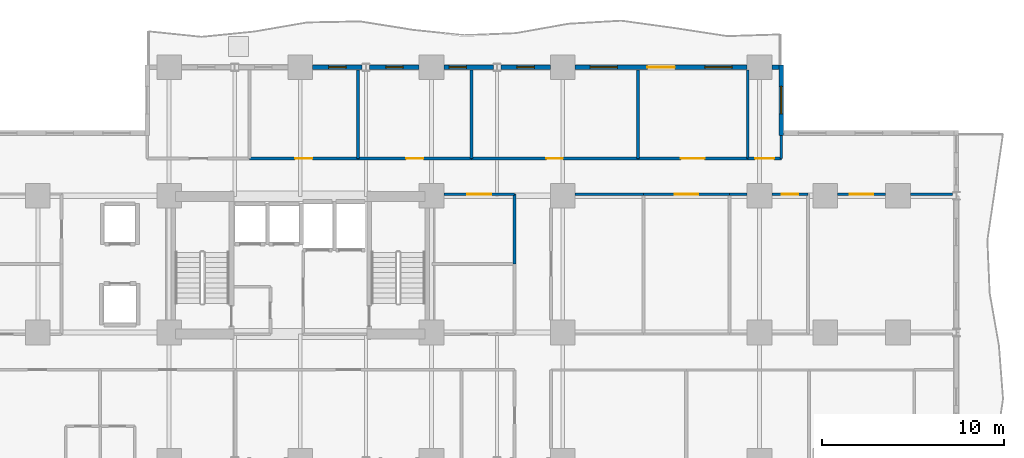
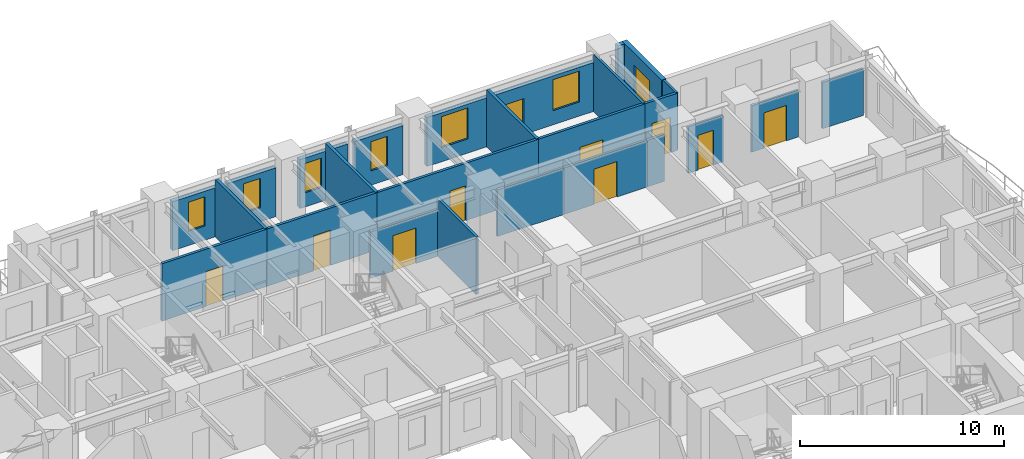
# One storey, part 7 of 11: 25 walls, 10 doors, 7 windows, 17 openings.
"""IFC4 building model written with IfcOpenShell, lengths in metres."""

from ifc_helpers import new_model, si_unit, direction, frame, frame_2d, origin, place, context, subcontext, project, spatial, rectangle, extrude, material, layer, layer_set, type_object, element, fill, save


model = new_model("IFC4")

# Units and contexts
model_context = context("Model", 3, precision=1e-05, world=origin(), true_north=direction((0.0, 1.0)))
body_context = subcontext(model_context, "Body", "Model", "MODEL_VIEW")
ifc_project = project(units=[si_unit("LENGTHUNIT", "METRE"), si_unit("AREAUNIT", "SQUARE_METRE"), si_unit("VOLUMEUNIT", "CUBIC_METRE"), si_unit("PLANEANGLEUNIT", "RADIAN"), si_unit("MASSUNIT", "GRAM", prefix="KILO")], contexts=[model_context])

# Site, building, storey
site_placement = place(None, origin())
site = spatial("IfcSite", under=ifc_project, at=site_placement, CompositionType="ELEMENT")
building_placement = place(site_placement, origin())
building = spatial("IfcBuilding", under=site, at=building_placement, Name="Kaliganga Portal Commons", CompositionType="ELEMENT")
storey_placement = place(building_placement, frame((0.0, 0.0, 51.199951171875)))
storey = spatial("IfcBuildingStorey", under=building, at=storey_placement, Name="L12", CompositionType="ELEMENT", Elevation=51.199951171875)

# Wall, opening, window
ifc_material_1 = material(Name="Insulated Aluminium-Clad Spandrel Assembly", Category="aluminium")
ifc_layer_1 = layer(ifc_material_1, 0.260009765625)
ifc_layer_set_1 = layer_set([ifc_layer_1], Name="Insulated Aluminium-Clad Spandrel Assembly")
wall_type_1 = type_object("IfcWallType", Name="WL-EXT-SPAND-260", PredefinedType="STANDARD", material=ifc_layer_set_1)
wall_1_placement = place(storey_placement, frame((48.0, 43.330078125, 0.0), z_axis=(0.0, 0.0, 1.0), x_axis=(0.0, -1.0, 0.0)))
wall_1 = element("IfcWall", 1, at=wall_1_placement, inside=storey, type_object=wall_type_1, Name="Exterior Envelope Wall L12 P1-E05-S1", PredefinedType="STANDARD", context=body_context, shape_type="SweptSolid", body=[
    extrude(rectangle(XDim=3.860107421875, YDim=0.260009765625, at=frame_2d((1.93017578125, 0.0))), origin(), (0.0, 0.0, 1.0), 3.429931640625),
])
opening_1_placement = place(wall_1_placement, frame((1.179931640625, 0.0, 0.85009765625)))
opening_1 = element("IfcOpeningElement", 2, at=opening_1_placement, cuts=wall_1, Name="Opening W-02", PredefinedType="OPENING", context=body_context, shape_type="SweptSolid", body=[
    extrude(rectangle(XDim=1.5, YDim=1.85009765625, at=frame_2d((0.75, 0.925048828125))), frame((0.0, 0.14013671875, 0.0), z_axis=(0.0, -1.0, 0.0), x_axis=(1.0, 0.0, 0.0)), (0.0, 0.0, 1.0), 0.280029296875),
])
ifc_material_2 = material(Name="Thermally Broken Aluminium and Low-E Double Glazing", Category="aluminium")
window_type_1 = type_object("IfcWindowType", Name="WIN-STD-1500", PartitioningType="DOUBLE_PANEL_VERTICAL", PredefinedType="WINDOW", material=ifc_material_2)
window_1_placement = place(opening_1_placement, origin())
window_1 = element("IfcWindow", 3, at=window_1_placement, inside=storey, type_object=window_type_1, Name="Facade Window L12-P1E05S1-00", OverallHeight=1.85009765625, OverallWidth=1.5, PartitioningType="SINGLE_PANEL", PredefinedType="WINDOW", context=body_context, shape_type="SweptSolid", body=[
    extrude(rectangle(XDim=1.5, YDim=1.85009765625, at=frame_2d((0.75, 0.925048828125))), frame((0.0, 0.030029296875, 0.0), z_axis=(0.0, -1.0, 0.0), x_axis=(1.0, 0.0, 0.0)), (0.0, 0.0, 1.0), 0.06005859375),
])
fill(opening_1, window_1)

# Wall
wall_2_placement = place(storey_placement, frame((47.47607421875, 43.199951171875, 0.0), z_axis=(0.0, 0.0, 1.0), x_axis=(1.0, 0.0, 0.0)))
element("IfcWall", 4, at=wall_2_placement, inside=storey, type_object=wall_type_1, Name="Exterior Envelope Wall L12 P1-E06-S1", PredefinedType="STANDARD", context=body_context, shape_type="SweptSolid", body=[
    extrude(rectangle(XDim=0.388916015625, YDim=0.260009765625, at=frame_2d((0.1943359375, 0.0))), origin(), (0.0, 0.0, 1.0), 3.429931640625),
])

# Wall, openings, door, windows
wall_3_placement = place(storey_placement, frame((36.676025390625, 43.199951171875, 0.0), z_axis=(0.0, 0.0, 1.0), x_axis=(1.0, 0.0, 0.0)))
wall_3 = element("IfcWall", 5, at=wall_3_placement, inside=storey, type_object=wall_type_1, Name="Exterior Envelope Wall L12 P1-E06-S2", PredefinedType="STANDARD", context=body_context, shape_type="SweptSolid", body=[
    extrude(rectangle(XDim=9.447998046875, YDim=0.260009765625, at=frame_2d((4.72412109375, 0.0))), origin(), (0.0, 0.0, 1.0), 2.929931640625),
])
opening_2_placement = place(wall_3_placement, frame((3.97412109375, 0.0, 0.0)))
opening_2 = element("IfcOpeningElement", 6, at=opening_2_placement, cuts=wall_3, Name="Opening BD-01", PredefinedType="OPENING", context=body_context, shape_type="SweptSolid", body=[
    extrude(rectangle(XDim=1.5, YDim=2.14990234375, at=frame_2d((0.75, 1.074951171875))), frame((0.0, 0.14013671875, 0.0), z_axis=(0.0, -1.0, 0.0), x_axis=(1.0, 0.0, 0.0)), (0.0, 0.0, 1.0), 0.280029296875),
])
opening_3_placement = place(wall_3_placement, frame((0.82470703125, 0.0, 0.85009765625)))
opening_3 = element("IfcOpeningElement", 7, at=opening_3_placement, cuts=wall_3, Name="Opening W-02", PredefinedType="OPENING", context=body_context, shape_type="SweptSolid", body=[
    extrude(rectangle(XDim=1.5, YDim=1.85009765625, at=frame_2d((0.75, 0.925048828125))), frame((0.0, 0.14013671875, 0.0), z_axis=(0.0, -1.0, 0.0), x_axis=(1.0, 0.0, 0.0)), (0.0, 0.0, 1.0), 0.280029296875),
])
opening_4_placement = place(wall_3_placement, frame((7.123291015625, 0.0, 0.85009765625)))
opening_4 = element("IfcOpeningElement", 8, at=opening_4_placement, cuts=wall_3, Name="Opening W-02", PredefinedType="OPENING", context=body_context, shape_type="SweptSolid", body=[
    extrude(rectangle(XDim=1.5, YDim=1.85009765625, at=frame_2d((0.75, 0.925048828125))), frame((0.0, 0.14013671875, 0.0), z_axis=(0.0, -1.0, 0.0), x_axis=(1.0, 0.0, 0.0)), (0.0, 0.0, 1.0), 0.280029296875),
])
ifc_material_3 = material(Name="Anodized Aluminium and Laminated Safety Glass", Category="aluminium")
door_type_1 = type_object("IfcDoorType", Name="DR-BALC-1500", OperationType="SLIDING_TO_LEFT", PredefinedType="DOOR", material=ifc_material_3)
door_1_placement = place(opening_2_placement, origin())
door_1 = element("IfcDoor", 9, at=door_1_placement, inside=storey, type_object=door_type_1, Name="Balcony Sliding Door L12 balc_north", OperationType="SLIDING_TO_LEFT", OverallHeight=2.14990234375, OverallWidth=1.5, PredefinedType="DOOR", context=body_context, shape_type="SweptSolid", body=[
    extrude(rectangle(XDim=1.5, YDim=2.14990234375, at=frame_2d((0.75, 1.074951171875))), frame((0.0, 0.02490234375, 0.0), z_axis=(0.0, -1.0, 0.0), x_axis=(1.0, 0.0, 0.0)), (0.0, 0.0, 1.0), 0.050048828125),
])
fill(opening_2, door_1)
window_2_placement = place(opening_3_placement, origin())
window_2 = element("IfcWindow", 10, at=window_2_placement, inside=storey, type_object=window_type_1, Name="Facade Window L12-P1E06S2-00", OverallHeight=1.85009765625, OverallWidth=1.5, PartitioningType="SINGLE_PANEL", PredefinedType="WINDOW", context=body_context, shape_type="SweptSolid", body=[
    extrude(rectangle(XDim=1.5, YDim=1.85009765625, at=frame_2d((0.75, 0.925048828125))), frame((0.0, 0.030029296875, 0.0), z_axis=(0.0, -1.0, 0.0), x_axis=(1.0, 0.0, 0.0)), (0.0, 0.0, 1.0), 0.06005859375),
])
fill(opening_3, window_2)
window_3_placement = place(opening_4_placement, origin())
window_3 = element("IfcWindow", 11, at=window_3_placement, inside=storey, type_object=window_type_1, Name="Facade Window L12-P1E06S2-02", OverallHeight=1.85009765625, OverallWidth=1.5, PartitioningType="SINGLE_PANEL", PredefinedType="WINDOW", context=body_context, shape_type="SweptSolid", body=[
    extrude(rectangle(XDim=1.5, YDim=1.85009765625, at=frame_2d((0.75, 0.925048828125))), frame((0.0, 0.030029296875, 0.0), z_axis=(0.0, -1.0, 0.0), x_axis=(1.0, 0.0, 0.0)), (0.0, 0.0, 1.0), 0.06005859375),
])
fill(opening_4, window_3)

# Wall, opening, window
wall_4_placement = place(storey_placement, frame((32.60888671875, 43.199951171875, 0.0), z_axis=(0.0, 0.0, 1.0), x_axis=(1.0, 0.0, 0.0)))
wall_4 = element("IfcWall", 12, at=wall_4_placement, inside=storey, type_object=wall_type_1, Name="Exterior Envelope Wall L12 P1-E06-S3", PredefinedType="STANDARD", context=body_context, shape_type="SweptSolid", body=[
    extrude(rectangle(XDim=2.715087890625, YDim=0.260009765625, at=frame_2d((1.357421875, 0.0))), origin(), (0.0, 0.0, 1.0), 2.929931640625),
])
opening_5_placement = place(wall_4_placement, frame((0.882568359375, 0.0, 0.85009765625)))
opening_5 = element("IfcOpeningElement", 13, at=opening_5_placement, cuts=wall_4, Name="Opening W-04", PredefinedType="OPENING", context=body_context, shape_type="SweptSolid", body=[
    extrude(rectangle(XDim=0.949951171875, YDim=1.75, at=frame_2d((0.47509765625, 0.875))), frame((0.0, 0.14013671875, 0.0), z_axis=(0.0, -1.0, 0.0), x_axis=(1.0, 0.0, 0.0)), (0.0, 0.0, 1.0), 0.280029296875),
])
window_type_2 = type_object("IfcWindowType", Name="WIN-NARROW-950", PartitioningType="SINGLE_PANEL", PredefinedType="WINDOW", material=ifc_material_2)
window_4_placement = place(opening_5_placement, origin())
window_4 = element("IfcWindow", 14, at=window_4_placement, inside=storey, type_object=window_type_2, Name="Facade Window L12-P1E06S3-00", OverallHeight=1.75, OverallWidth=0.949951171875, PartitioningType="SINGLE_PANEL", PredefinedType="WINDOW", context=body_context, shape_type="SweptSolid", body=[
    extrude(rectangle(XDim=0.949951171875, YDim=1.75, at=frame_2d((0.47509765625, 0.875))), frame((0.0, 0.030029296875, 0.0), z_axis=(0.0, -1.0, 0.0), x_axis=(1.0, 0.0, 0.0)), (0.0, 0.0, 1.0), 0.06005859375),
])
fill(opening_5, window_4)

wall_5_placement = place(storey_placement, frame((29.47607421875, 43.199951171875, 0.0), z_axis=(0.0, 0.0, 1.0), x_axis=(1.0, 0.0, 0.0)))
wall_5 = element("IfcWall", 15, at=wall_5_placement, inside=storey, type_object=wall_type_1, Name="Exterior Envelope Wall L12 P1-E06-S4", PredefinedType="STANDARD", context=body_context, shape_type="SweptSolid", body=[
    extrude(rectangle(XDim=2.71484375, YDim=0.260009765625, at=frame_2d((1.357421875, 0.0))), origin(), (0.0, 0.0, 1.0), 2.929931640625),
])
opening_6_placement = place(wall_5_placement, frame((0.28515625, 0.0, 0.85009765625)))
opening_6 = element("IfcOpeningElement", 16, at=opening_6_placement, cuts=wall_5, Name="Opening W-04", PredefinedType="OPENING", context=body_context, shape_type="SweptSolid", body=[
    extrude(rectangle(XDim=0.949951171875, YDim=1.75, at=frame_2d((0.47509765625, 0.875))), frame((0.0, 0.14013671875, 0.0), z_axis=(0.0, -1.0, 0.0), x_axis=(1.0, 0.0, 0.0)), (0.0, 0.0, 1.0), 0.280029296875),
])
window_5_placement = place(opening_6_placement, origin())
window_5 = element("IfcWindow", 17, at=window_5_placement, inside=storey, type_object=window_type_2, Name="Facade Window L12-P1E06S4-N3", OverallHeight=1.75, OverallWidth=0.949951171875, PartitioningType="SINGLE_PANEL", PredefinedType="WINDOW", context=body_context, shape_type="SweptSolid", body=[
    extrude(rectangle(XDim=0.949951171875, YDim=1.75, at=frame_2d((0.47509765625, 0.875))), frame((0.0, 0.030029296875, 0.0), z_axis=(0.0, -1.0, 0.0), x_axis=(1.0, 0.0, 0.0)), (0.0, 0.0, 1.0), 0.06005859375),
])
fill(opening_6, window_5)

wall_6_placement = place(storey_placement, frame((25.408935546875, 43.199951171875, 0.0), z_axis=(0.0, 0.0, 1.0), x_axis=(1.0, 0.0, 0.0)))
wall_6 = element("IfcWall", 18, at=wall_6_placement, inside=storey, type_object=wall_type_1, Name="Exterior Envelope Wall L12 P1-E06-S5", PredefinedType="STANDARD", context=body_context, shape_type="SweptSolid", body=[
    extrude(rectangle(XDim=2.715087890625, YDim=0.260009765625, at=frame_2d((1.357421875, 0.0))), origin(), (0.0, 0.0, 1.0), 2.929931640625),
])
opening_7_placement = place(wall_6_placement, frame((0.882568359375, 0.0, 0.85009765625)))
opening_7 = element("IfcOpeningElement", 19, at=opening_7_placement, cuts=wall_6, Name="Opening W-04", PredefinedType="OPENING", context=body_context, shape_type="SweptSolid", body=[
    extrude(rectangle(XDim=0.949951171875, YDim=1.75, at=frame_2d((0.47509765625, 0.875))), frame((0.0, 0.14013671875, 0.0), z_axis=(0.0, -1.0, 0.0), x_axis=(1.0, 0.0, 0.0)), (0.0, 0.0, 1.0), 0.280029296875),
])
window_6_placement = place(opening_7_placement, origin())
window_6 = element("IfcWindow", 20, at=window_6_placement, inside=storey, type_object=window_type_2, Name="Facade Window L12-P1E06S5-00", OverallHeight=1.75, OverallWidth=0.949951171875, PartitioningType="SINGLE_PANEL", PredefinedType="WINDOW", context=body_context, shape_type="SweptSolid", body=[
    extrude(rectangle(XDim=0.949951171875, YDim=1.75, at=frame_2d((0.47509765625, 0.875))), frame((0.0, 0.030029296875, 0.0), z_axis=(0.0, -1.0, 0.0), x_axis=(1.0, 0.0, 0.0)), (0.0, 0.0, 1.0), 0.06005859375),
])
fill(opening_7, window_6)

wall_7_placement = place(storey_placement, frame((22.27587890625, 43.199951171875, 0.0), z_axis=(0.0, 0.0, 1.0), x_axis=(1.0, 0.0, 0.0)))
wall_7 = element("IfcWall", 21, at=wall_7_placement, inside=storey, type_object=wall_type_1, Name="Exterior Envelope Wall L12 P1-E06-S6", PredefinedType="STANDARD", context=body_context, shape_type="SweptSolid", body=[
    extrude(rectangle(XDim=2.715087890625, YDim=0.260009765625, at=frame_2d((1.357421875, 0.0))), origin(), (0.0, 0.0, 1.0), 2.929931640625),
])
opening_8_placement = place(wall_7_placement, frame((0.882568359375, 0.0, 0.85009765625)))
opening_8 = element("IfcOpeningElement", 22, at=opening_8_placement, cuts=wall_7, Name="Opening W-04", PredefinedType="OPENING", context=body_context, shape_type="SweptSolid", body=[
    extrude(rectangle(XDim=0.949951171875, YDim=1.75, at=frame_2d((0.47509765625, 0.875))), frame((0.0, 0.14013671875, 0.0), z_axis=(0.0, -1.0, 0.0), x_axis=(1.0, 0.0, 0.0)), (0.0, 0.0, 1.0), 0.280029296875),
])
window_7_placement = place(opening_8_placement, origin())
window_7 = element("IfcWindow", 23, at=window_7_placement, inside=storey, type_object=window_type_2, Name="Facade Window L12-P1E06S6-00", OverallHeight=1.75, OverallWidth=0.949951171875, PartitioningType="SINGLE_PANEL", PredefinedType="WINDOW", context=body_context, shape_type="SweptSolid", body=[
    extrude(rectangle(XDim=0.949951171875, YDim=1.75, at=frame_2d((0.47509765625, 0.875))), frame((0.0, 0.030029296875, 0.0), z_axis=(0.0, -1.0, 0.0), x_axis=(1.0, 0.0, 0.0)), (0.0, 0.0, 1.0), 0.06005859375),
])
fill(opening_8, window_7)

# Wall, opening, door
ifc_material_4 = material(Name="Fire-Rated Gypsum Board on Steel Stud", Category="steel")
ifc_layer_2 = layer(ifc_material_4, 0.14990234375)
ifc_layer_set_2 = layer_set([ifc_layer_2], Name="Fire-Rated Gypsum Board on Steel Stud")
wall_type_2 = type_object("IfcWallType", Name="WL-PART-CORR-150", PredefinedType="PARTITIONING", material=ifc_layer_set_2)
wall_8_placement = place(storey_placement, frame((31.0, 38.199951171875, 0.0), z_axis=(0.0, 0.0, 1.0), x_axis=(1.0, 0.0, 0.0)))
wall_8 = element("IfcWall", 24, at=wall_8_placement, inside=storey, type_object=wall_type_2, Name="Interior Partition L12-009", PredefinedType="PARTITIONING", context=body_context, shape_type="SweptSolid", body=[
    extrude(rectangle(XDim=9.1201171875, YDim=0.14990234375, at=frame_2d((4.56005859375, 0.0))), origin(), (0.0, 0.0, 1.0), 3.429931640625),
])
opening_9_placement = place(wall_8_placement, frame((4.110107421875, 0.0, 0.0)))
opening_9 = element("IfcOpeningElement", 25, at=opening_9_placement, cuts=wall_8, Name="Opening RD-01", PredefinedType="OPENING", context=body_context, shape_type="SweptSolid", body=[
    extrude(rectangle(XDim=0.89990234375, YDim=2.080078125, at=frame_2d((0.449951171875, 1.0400390625))), frame((0.0, 0.0849609375, 0.0), z_axis=(0.0, -1.0, 0.0), x_axis=(1.0, 0.0, 0.0)), (0.0, 0.0, 1.0), 0.169921875),
])
ifc_material_5 = material(Name="Engineered Timber Flush Door", Category="wood")
door_type_2 = type_object("IfcDoorType", Name="DR-ROOM-900", OperationType="NOTDEFINED", PredefinedType="DOOR", material=ifc_material_5)
door_2_placement = place(opening_9_placement, origin())
door_2 = element("IfcDoor", 26, at=door_2_placement, inside=storey, type_object=door_type_2, Name="Interior Door L12-AN04", OperationType="SINGLE_SWING_RIGHT", OverallHeight=2.080078125, OverallWidth=0.89990234375, PredefinedType="DOOR", context=body_context, shape_type="SweptSolid", body=[
    extrude(rectangle(XDim=0.89990234375, YDim=2.080078125, at=frame_2d((0.449951171875, 1.0400390625))), frame((0.0, 0.02490234375, 0.0), z_axis=(0.0, -1.0, 0.0), x_axis=(1.0, 0.0, 0.0)), (0.0, 0.0, 1.0), 0.050048828125),
])
fill(opening_9, door_2)

wall_9_placement = place(storey_placement, frame((51.074951171875, 36.239990234375, 0.0), z_axis=(0.0, 0.0, 1.0), x_axis=(1.0, 0.0, 0.0)))
wall_9 = element("IfcWall", 27, at=wall_9_placement, inside=storey, type_object=wall_type_2, Name="Interior Partition L12-010", PredefinedType="PARTITIONING", context=body_context, shape_type="SweptSolid", body=[
    extrude(rectangle(XDim=2.650146484375, YDim=0.14990234375, at=frame_2d((1.3251953125, 0.0))), origin(), (0.0, 0.0, 1.0), 2.780029296875),
])
opening_10_placement = place(wall_9_placement, frame((0.675048828125, 0.0, 0.0)))
opening_10 = element("IfcOpeningElement", 28, at=opening_10_placement, cuts=wall_9, Name="Opening RD-03", PredefinedType="OPENING", context=body_context, shape_type="SweptSolid", body=[
    extrude(rectangle(XDim=1.300048828125, YDim=2.1201171875, at=frame_2d((0.64990234375, 1.06005859375))), frame((0.0, 0.0849609375, 0.0), z_axis=(0.0, -1.0, 0.0), x_axis=(1.0, 0.0, 0.0)), (0.0, 0.0, 1.0), 0.169921875),
])
ifc_material_6 = material(Name="Glazed Timber Seminar Vision Door", Category="wood")
door_type_3 = type_object("IfcDoorType", Name="DR-STUDY-1300", OperationType="DOUBLE_DOOR_SINGLE_SWING", PredefinedType="DOOR", material=ifc_material_6)
door_3_placement = place(opening_10_placement, origin())
door_3 = element("IfcDoor", 29, at=door_3_placement, inside=storey, type_object=door_type_3, Name="Interior Door L12-BK04", OperationType="DOUBLE_DOOR_SINGLE_SWING", OverallHeight=2.1201171875, OverallWidth=1.300048828125, PredefinedType="DOOR", context=body_context, shape_type="SweptSolid", body=[
    extrude(rectangle(XDim=1.300048828125, YDim=2.1201171875, at=frame_2d((0.64990234375, 1.06005859375))), frame((0.0, 0.02490234375, 0.0), z_axis=(0.0, -1.0, 0.0), x_axis=(1.0, 0.0, 0.0)), (0.0, 0.0, 1.0), 0.050048828125),
])
fill(opening_10, door_3)

# Wall
wall_10_placement = place(storey_placement, frame((55.074951171875, 36.239990234375, 0.0), z_axis=(0.0, 0.0, 1.0), x_axis=(1.0, 0.0, 0.0)))
element("IfcWall", 30, at=wall_10_placement, inside=storey, type_object=wall_type_2, Name="Interior Partition L12-011", PredefinedType="PARTITIONING", context=body_context, shape_type="SweptSolid", body=[
    extrude(rectangle(XDim=2.317138671875, YDim=0.14990234375, at=frame_2d((1.15869140625, 0.0))), origin(), (0.0, 0.0, 1.0), 2.780029296875),
])

# Wall, opening, door
wall_11_placement = place(storey_placement, frame((24.760009765625, 38.199951171875, 0.0), z_axis=(0.0, 0.0, 1.0), x_axis=(1.0, 0.0, 0.0)))
wall_11 = element("IfcWall", 31, at=wall_11_placement, inside=storey, type_object=wall_type_2, Name="Interior Partition L12-023", PredefinedType="PARTITIONING", context=body_context, shape_type="SweptSolid", body=[
    extrude(rectangle(XDim=6.239990234375, YDim=0.14990234375, at=frame_2d((3.1201171875, 0.0))), origin(), (0.0, 0.0, 1.0), 3.429931640625),
])
opening_11_placement = place(wall_11_placement, frame((2.64501953125, 0.0, 0.0)))
opening_11 = element("IfcOpeningElement", 32, at=opening_11_placement, cuts=wall_11, Name="Opening UD-01", PredefinedType="OPENING", context=body_context, shape_type="SweptSolid", body=[
    extrude(rectangle(XDim=0.949951171875, YDim=2.10009765625, at=frame_2d((0.47509765625, 1.050048828125))), frame((0.0, 0.0849609375, 0.0), z_axis=(0.0, -1.0, 0.0), x_axis=(1.0, 0.0, 0.0)), (0.0, 0.0, 1.0), 0.169921875),
])
ifc_material_7 = material(Name="Solid-Core Timber Acoustic Fire Door", Category="wood")
door_type_4 = type_object("IfcDoorType", Name="DR-UNIT-950", OperationType="NOTDEFINED", PredefinedType="DOOR", material=ifc_material_7)
door_4_placement = place(opening_11_placement, origin())
door_4 = element("IfcDoor", 33, at=door_4_placement, inside=storey, type_object=door_type_4, Name="Interior Door L12-AN03", OperationType="SINGLE_SWING_LEFT", OverallHeight=2.10009765625, OverallWidth=0.949951171875, PredefinedType="DOOR", context=body_context, shape_type="SweptSolid", body=[
    extrude(rectangle(XDim=0.949951171875, YDim=2.10009765625, at=frame_2d((0.47509765625, 1.050048828125))), frame((0.0, 0.02490234375, 0.0), z_axis=(0.0, -1.0, 0.0), x_axis=(1.0, 0.0, 0.0)), (0.0, 0.0, 1.0), 0.050048828125),
])
fill(opening_11, door_4)

wall_12_placement = place(storey_placement, frame((40.1201171875, 38.199951171875, 0.0), z_axis=(0.0, 0.0, 1.0), x_axis=(1.0, 0.0, 0.0)))
wall_12 = element("IfcWall", 34, at=wall_12_placement, inside=storey, type_object=wall_type_2, Name="Interior Partition L12-024", PredefinedType="PARTITIONING", context=body_context, shape_type="SweptSolid", body=[
    extrude(rectangle(XDim=6.039794921875, YDim=0.14990234375, at=frame_2d((3.02001953125, 0.0))), origin(), (0.0, 0.0, 1.0), 3.429931640625),
])
opening_12_placement = place(wall_12_placement, frame((2.3701171875, 0.0, 0.0)))
opening_12 = element("IfcOpeningElement", 35, at=opening_12_placement, cuts=wall_12, Name="Opening RD-03", PredefinedType="OPENING", context=body_context, shape_type="SweptSolid", body=[
    extrude(rectangle(XDim=1.300048828125, YDim=2.1201171875, at=frame_2d((0.64990234375, 1.06005859375))), frame((0.0, 0.0849609375, 0.0), z_axis=(0.0, -1.0, 0.0), x_axis=(1.0, 0.0, 0.0)), (0.0, 0.0, 1.0), 0.169921875),
])
door_5_placement = place(opening_12_placement, origin())
door_5 = element("IfcDoor", 36, at=door_5_placement, inside=storey, type_object=door_type_3, Name="Interior Door L12-AN05", OperationType="DOUBLE_DOOR_SINGLE_SWING", OverallHeight=2.1201171875, OverallWidth=1.300048828125, PredefinedType="DOOR", context=body_context, shape_type="SweptSolid", body=[
    extrude(rectangle(XDim=1.300048828125, YDim=2.1201171875, at=frame_2d((0.64990234375, 1.06005859375))), frame((0.0, 0.02490234375, 0.0), z_axis=(0.0, -1.0, 0.0), x_axis=(1.0, 0.0, 0.0)), (0.0, 0.0, 1.0), 0.050048828125),
])
fill(opening_12, door_5)

wall_13_placement = place(storey_placement, frame((18.820068359375, 38.199951171875, 0.0), z_axis=(0.0, 0.0, 1.0), x_axis=(1.0, 0.0, 0.0)))
wall_13 = element("IfcWall", 37, at=wall_13_placement, inside=storey, type_object=wall_type_2, Name="Interior Partition L12-025", PredefinedType="PARTITIONING", context=body_context, shape_type="SweptSolid", body=[
    extrude(rectangle(XDim=5.93994140625, YDim=0.14990234375, at=frame_2d((2.969970703125, 0.0))), origin(), (0.0, 0.0, 1.0), 3.429931640625),
])
opening_13_placement = place(wall_13_placement, frame((2.4951171875, 0.0, 0.0)))
opening_13 = element("IfcOpeningElement", 38, at=opening_13_placement, cuts=wall_13, Name="Opening UD-01", PredefinedType="OPENING", context=body_context, shape_type="SweptSolid", body=[
    extrude(rectangle(XDim=0.949951171875, YDim=2.10009765625, at=frame_2d((0.47509765625, 1.050048828125))), frame((0.0, 0.0849609375, 0.0), z_axis=(0.0, -1.0, 0.0), x_axis=(1.0, 0.0, 0.0)), (0.0, 0.0, 1.0), 0.169921875),
])
door_6_placement = place(opening_13_placement, origin())
door_6 = element("IfcDoor", 39, at=door_6_placement, inside=storey, type_object=door_type_4, Name="Interior Door L12-AN02", OperationType="SINGLE_SWING_LEFT", OverallHeight=2.10009765625, OverallWidth=0.949951171875, PredefinedType="DOOR", context=body_context, shape_type="SweptSolid", body=[
    extrude(rectangle(XDim=0.949951171875, YDim=2.10009765625, at=frame_2d((0.47509765625, 1.050048828125))), frame((0.0, 0.02490234375, 0.0), z_axis=(0.0, -1.0, 0.0), x_axis=(1.0, 0.0, 0.0)), (0.0, 0.0, 1.0), 0.050048828125),
])
fill(opening_13, door_6)

# Wall
wall_14_placement = place(storey_placement, frame((36.675048828125, 36.239990234375, 0.0), z_axis=(0.0, 0.0, 1.0), x_axis=(1.0, 0.0, 0.0)))
element("IfcWall", 40, at=wall_14_placement, inside=storey, type_object=wall_type_2, Name="Interior Partition L12-028", PredefinedType="PARTITIONING", context=body_context, shape_type="SweptSolid", body=[
    extrude(rectangle(XDim=3.764892578125, YDim=0.14990234375, at=frame_2d((1.88232421875, 0.0))), origin(), (0.0, 0.0, 1.0), 2.780029296875),
])

# Wall, opening, door
wall_15_placement = place(storey_placement, frame((40.43994140625, 36.239990234375, 0.0), z_axis=(0.0, 0.0, 1.0), x_axis=(1.0, 0.0, 0.0)))
wall_15 = element("IfcWall", 41, at=wall_15_placement, inside=storey, type_object=wall_type_2, Name="Interior Partition L12-032", PredefinedType="PARTITIONING", context=body_context, shape_type="SweptSolid", body=[
    extrude(rectangle(XDim=4.719970703125, YDim=0.14990234375, at=frame_2d((2.35986328125, 0.0))), origin(), (0.0, 0.0, 1.0), 2.780029296875),
])
opening_14_placement = place(wall_15_placement, frame((1.7099609375, 0.0, 0.0)))
opening_14 = element("IfcOpeningElement", 42, at=opening_14_placement, cuts=wall_15, Name="Opening RD-03", PredefinedType="OPENING", context=body_context, shape_type="SweptSolid", body=[
    extrude(rectangle(XDim=1.300048828125, YDim=2.1201171875, at=frame_2d((0.64990234375, 1.06005859375))), frame((0.0, 0.0849609375, 0.0), z_axis=(0.0, -1.0, 0.0), x_axis=(1.0, 0.0, 0.0)), (0.0, 0.0, 1.0), 0.169921875),
])
door_7_placement = place(opening_14_placement, origin())
door_7 = element("IfcDoor", 43, at=door_7_placement, inside=storey, type_object=door_type_3, Name="Interior Door L12-BK02", OperationType="DOUBLE_DOOR_SINGLE_SWING", OverallHeight=2.1201171875, OverallWidth=1.300048828125, PredefinedType="DOOR", context=body_context, shape_type="SweptSolid", body=[
    extrude(rectangle(XDim=1.300048828125, YDim=2.1201171875, at=frame_2d((0.64990234375, 1.06005859375))), frame((0.0, 0.02490234375, 0.0), z_axis=(0.0, -1.0, 0.0), x_axis=(1.0, 0.0, 0.0)), (0.0, 0.0, 1.0), 0.050048828125),
])
fill(opening_14, door_7)

wall_16_placement = place(storey_placement, frame((29.47509765625, 36.239990234375, 0.0), z_axis=(0.0, 0.0, 1.0), x_axis=(1.0, 0.0, 0.0)))
wall_16 = element("IfcWall", 44, at=wall_16_placement, inside=storey, type_object=wall_type_2, Name="Interior Partition L12-035", PredefinedType="PARTITIONING", context=body_context, shape_type="SweptSolid", body=[
    extrude(rectangle(XDim=3.885009765625, YDim=0.14990234375, at=frame_2d((1.9423828125, 0.0))), origin(), (0.0, 0.0, 1.0), 2.780029296875),
])
opening_15_placement = place(wall_16_placement, frame((1.29248046875, 0.0, 0.0)))
opening_15 = element("IfcOpeningElement", 45, at=opening_15_placement, cuts=wall_16, Name="Opening RD-03", PredefinedType="OPENING", context=body_context, shape_type="SweptSolid", body=[
    extrude(rectangle(XDim=1.300048828125, YDim=2.1201171875, at=frame_2d((0.64990234375, 1.06005859375))), frame((0.0, 0.0849609375, 0.0), z_axis=(0.0, -1.0, 0.0), x_axis=(1.0, 0.0, 0.0)), (0.0, 0.0, 1.0), 0.169921875),
])
door_8_placement = place(opening_15_placement, origin())
door_8 = element("IfcDoor", 46, at=door_8_placement, inside=storey, type_object=door_type_3, Name="Interior Door L12-CSRV_A2", OperationType="DOUBLE_DOOR_SINGLE_SWING", OverallHeight=2.1201171875, OverallWidth=1.300048828125, PredefinedType="DOOR", context=body_context, shape_type="SweptSolid", body=[
    extrude(rectangle(XDim=1.300048828125, YDim=2.1201171875, at=frame_2d((0.64990234375, 1.06005859375))), frame((0.0, 0.02490234375, 0.0), z_axis=(0.0, -1.0, 0.0), x_axis=(1.0, 0.0, 0.0)), (0.0, 0.0, 1.0), 0.050048828125),
])
fill(opening_15, door_8)

# Wall
wall_17_placement = place(storey_placement, frame((45.159912109375, 36.239990234375, 0.0), z_axis=(0.0, 0.0, 1.0), x_axis=(1.0, 0.0, 0.0)))
element("IfcWall", 47, at=wall_17_placement, inside=storey, type_object=wall_type_2, Name="Interior Partition L12-036", PredefinedType="PARTITIONING", context=body_context, shape_type="SweptSolid", body=[
    extrude(rectangle(XDim=0.965087890625, YDim=0.14990234375, at=frame_2d((0.482421875, 0.0))), origin(), (0.0, 0.0, 1.0), 2.780029296875),
])

# Wall, opening, door
wall_18_placement = place(storey_placement, frame((47.47509765625, 36.239990234375, 0.0), z_axis=(0.0, 0.0, 1.0), x_axis=(1.0, 0.0, 0.0)))
wall_18 = element("IfcWall", 48, at=wall_18_placement, inside=storey, type_object=wall_type_2, Name="Interior Partition L12-037", PredefinedType="PARTITIONING", context=body_context, shape_type="SweptSolid", body=[
    extrude(rectangle(XDim=1.98486328125, YDim=0.14990234375, at=frame_2d((0.992431640625, 0.0))), origin(), (0.0, 0.0, 1.0), 2.780029296875),
])
opening_16_placement = place(wall_18_placement, frame((0.54248046875, 0.0, 0.0)))
opening_16 = element("IfcOpeningElement", 49, at=opening_16_placement, cuts=wall_18, Name="Opening RD-01", PredefinedType="OPENING", context=body_context, shape_type="SweptSolid", body=[
    extrude(rectangle(XDim=0.89990234375, YDim=2.080078125, at=frame_2d((0.449951171875, 1.0400390625))), frame((0.0, 0.0849609375, 0.0), z_axis=(0.0, -1.0, 0.0), x_axis=(1.0, 0.0, 0.0)), (0.0, 0.0, 1.0), 0.169921875),
])
door_9_placement = place(opening_16_placement, origin())
door_9 = element("IfcDoor", 50, at=door_9_placement, inside=storey, type_object=door_type_2, Name="Interior Door L12-BK03", OperationType="SINGLE_SWING_RIGHT", OverallHeight=2.080078125, OverallWidth=0.89990234375, PredefinedType="DOOR", context=body_context, shape_type="SweptSolid", body=[
    extrude(rectangle(XDim=0.89990234375, YDim=2.080078125, at=frame_2d((0.449951171875, 1.0400390625))), frame((0.0, 0.02490234375, 0.0), z_axis=(0.0, -1.0, 0.0), x_axis=(1.0, 0.0, 0.0)), (0.0, 0.0, 1.0), 0.050048828125),
])
fill(opening_16, door_9)

# Wall
wall_19_placement = place(storey_placement, frame((33.360107421875, 32.39990234375, 0.0), z_axis=(0.0, 0.0, 1.0), x_axis=(0.0, 1.0, 0.0)))
element("IfcWall", 51, at=wall_19_placement, inside=storey, type_object=wall_type_2, Name="Interior Partition L12-039", PredefinedType="PARTITIONING", context=body_context, shape_type="SweptSolid", body=[
    extrude(rectangle(XDim=3.840087890625, YDim=0.14990234375, at=frame_2d((1.919921875, 0.0))), origin(), (0.0, 0.0, 1.0), 3.429931640625),
])

# Wall, opening, door
wall_20_placement = place(storey_placement, frame((46.159912109375, 38.199951171875, 0.0), z_axis=(0.0, 0.0, 1.0), x_axis=(1.0, 0.0, 0.0)))
wall_20 = element("IfcWall", 52, at=wall_20_placement, inside=storey, type_object=wall_type_2, Name="Interior Partition L12-047", PredefinedType="PARTITIONING", context=body_context, shape_type="SweptSolid", body=[
    extrude(rectangle(XDim=1.840087890625, YDim=0.14990234375, at=frame_2d((0.919921875, 0.0))), origin(), (0.0, 0.0, 1.0), 3.429931640625),
])
opening_17_placement = place(wall_20_placement, frame((0.39501953125, 0.0, 0.0)))
opening_17 = element("IfcOpeningElement", 53, at=opening_17_placement, cuts=wall_20, Name="Opening UD-02", PredefinedType="OPENING", context=body_context, shape_type="SweptSolid", body=[
    extrude(rectangle(XDim=1.050048828125, YDim=2.1201171875, at=frame_2d((0.52490234375, 1.06005859375))), frame((0.0, 0.0849609375, 0.0), z_axis=(0.0, -1.0, 0.0), x_axis=(1.0, 0.0, 0.0)), (0.0, 0.0, 1.0), 0.169921875),
])
ifc_material_8 = material(Name="Accessible Wide-Leaf Acoustic Fire Door", Category="wood")
door_type_5 = type_object("IfcDoorType", Name="DR-ACC-1050", OperationType="NOTDEFINED", PredefinedType="DOOR", material=ifc_material_8)
door_10_placement = place(opening_17_placement, origin())
door_10 = element("IfcDoor", 54, at=door_10_placement, inside=storey, type_object=door_type_5, Name="Interior Door L12-AN06", OperationType="SINGLE_SWING_RIGHT", OverallHeight=2.1201171875, OverallWidth=1.050048828125, PredefinedType="DOOR", context=body_context, shape_type="SweptSolid", body=[
    extrude(rectangle(XDim=1.050048828125, YDim=2.1201171875, at=frame_2d((0.52490234375, 1.06005859375))), frame((0.0, 0.02490234375, 0.0), z_axis=(0.0, -1.0, 0.0), x_axis=(1.0, 0.0, 0.0)), (0.0, 0.0, 1.0), 0.050048828125),
])
fill(opening_17, door_10)

# Walls
ifc_material_9 = material(Name="Twin-Stud Acoustic Gypsum Partition", Category="gypsum")
ifc_layer_3 = layer(ifc_material_9, 0.1650390625)
ifc_layer_set_3 = layer_set([ifc_layer_3], Name="Twin-Stud Acoustic Gypsum Partition")
wall_type_3 = type_object("IfcWallType", Name="WL-PART-UNIT-165", PredefinedType="PARTITIONING", material=ifc_layer_set_3)
for number, where, z_axis, x_axis, name in (
    (55, (24.760009765625, 38.199951171875, 0.0), (0.0, 0.0, 1.0), (0.0, 1.0, 0.0), "Interior Partition L12-063"),
    (56, (31.0, 38.199951171875, 0.0), (0.0, 0.0, 1.0), (0.0, 1.0, 0.0), "Interior Partition L12-065"),
    (57, (40.1201171875, 38.199951171875, 0.0), (0.0, 0.0, 1.0), (0.0, 1.0, 0.0), "Interior Partition L12-066"),
):
    element("IfcWall", number, at=place(storey_placement, frame(where, z_axis=z_axis, x_axis=x_axis)), inside=storey, type_object=wall_type_3, Name=name, PredefinedType="PARTITIONING", context=body_context, shape_type="SweptSolid", body=[
        extrude(rectangle(XDim=4.8681640625, YDim=0.1650390625, at=frame_2d((2.43408203125, 0.0))), origin(), (0.0, 0.0, 1.0), 3.429931640625),
    ])
ifc_material_10 = material(Name="Cement-Board Wet-Room Partition", Category="gypsum")
ifc_layer_4 = layer(ifc_material_10, 0.135009765625)
ifc_layer_set_4 = layer_set([ifc_layer_4], Name="Cement-Board Wet-Room Partition")
wall_type_4 = type_object("IfcWallType", Name="WL-PART-WET-135", PredefinedType="PARTITIONING", material=ifc_layer_set_4)
wall_21_placement = place(storey_placement, frame((46.159912109375, 38.199951171875, 0.0), z_axis=(0.0, 0.0, 1.0), x_axis=(0.0, 1.0, 0.0)))
element("IfcWall", 58, at=wall_21_placement, inside=storey, type_object=wall_type_4, Name="Interior Partition L12-067", PredefinedType="PARTITIONING", context=body_context, shape_type="SweptSolid", body=[
    extrude(rectangle(XDim=4.8681640625, YDim=0.135009765625, at=frame_2d((2.43408203125, 0.0))), origin(), (0.0, 0.0, 1.0), 3.429931640625),
])
wall_22_placement = place(storey_placement, frame((48.0, 38.199951171875, 0.0), z_axis=(0.0, 0.0, 1.0), x_axis=(0.0, 1.0, 0.0)))
element("IfcWall", 59, at=wall_22_placement, inside=storey, type_object=wall_type_4, Name="Interior Partition L12-068", PredefinedType="PARTITIONING", context=body_context, shape_type="SweptSolid", body=[
    extrude(rectangle(XDim=1.26806640625, YDim=0.135009765625, at=frame_2d((0.634033203125, 0.0))), origin(), (0.0, 0.0, 1.0), 3.429931640625),
])

save(model, "model.ifc")
